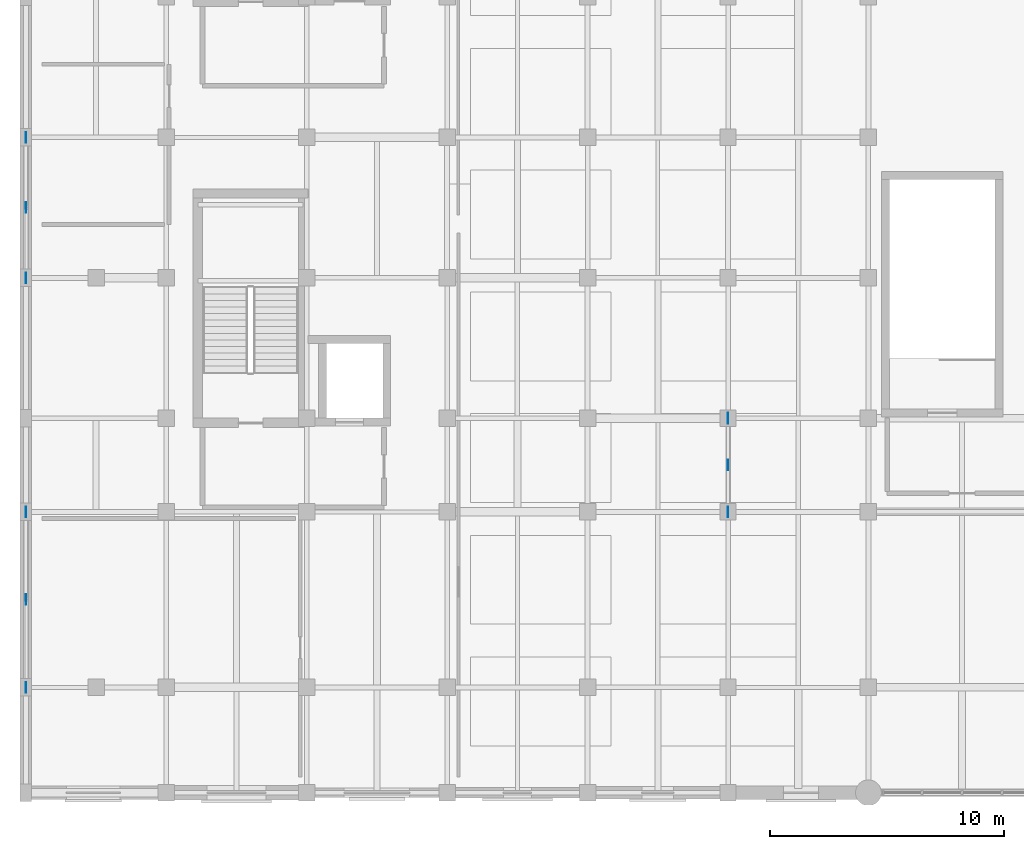
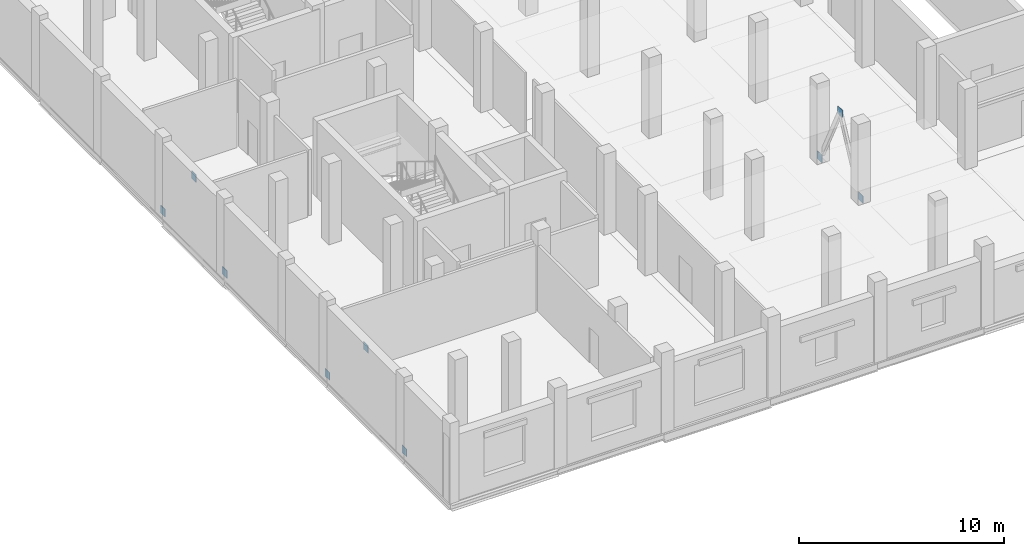
# One storey, part 91 of 114: 9 plates.
"""IFC4 building model written with IfcOpenShell, lengths in metres."""

import ifcopenshell
import ifcopenshell.guid

model = None  # the IFC model being written
_history = None  # IfcOwnerHistory: only IFC2X3 demands one
_inside = {}  # id of a spatial element -> (the spatial element, [elements in it])
_under = {}  # id of a project, library or spatial element -> (it, [spatial elements below it])
_declared = {}  # id of a project -> (the project, [libraries it declares])
_typed = {}  # id of a type object -> (the type object, [elements of that type])
_made_of = {}  # id of a material, layer set ... -> (it, [elements and type objects made of it])


def new_model(schema):
    """Start an empty IFC model of exactly this schema.

    Asked for "IFC4X3", IfcOpenShell would pick the latest addendum, in which some entities
    have other attributes; the version numbers below select the first issue.
    IFC2X3 requires an IfcOwnerHistory on every rooted entity: one is made here for all.
    """
    global model, _history
    if schema == "IFC4X3":
        model = ifcopenshell.file(schema_version=(4, 3, 0, 0))
    else:
        model = ifcopenshell.file(schema=schema)
    _inside.clear()
    _under.clear()
    _declared.clear()
    _typed.clear()
    _made_of.clear()
    _history = None
    if model.schema == "IFC2X3":
        org = make("IfcOrganization", Name="unknown")
        user = make(
            "IfcPersonAndOrganization",
            ThePerson=make("IfcPerson", FamilyName="unknown"),
            TheOrganization=org,
        )
        app = make(
            "IfcApplication",
            ApplicationDeveloper=org,
            Version="unknown",
            ApplicationFullName="unknown",
            ApplicationIdentifier="unknown",
        )
        _history = make(
            "IfcOwnerHistory",
            OwningUser=user,
            OwningApplication=app,
            ChangeAction="ADDED",
            CreationDate=0,
        )
    return model


def make(cls, **values):
    """One entity of the class cls with the attributes given. An attribute that is None is left unset."""
    return model.create_entity(
        cls, **{name: value for name, value in values.items() if value is not None}
    )


def rooted(cls, **values):
    """An entity with a GlobalId (a new one), such as an element, a storey or a relation."""
    return make(cls, GlobalId=ifcopenshell.guid.new(), OwnerHistory=_history, **values)


def si_unit(unit_type, name, prefix=None):
    """IfcSIUnit, for example si_unit("LENGTHUNIT", "METRE", prefix="MILLI")."""
    return make("IfcSIUnit", UnitType=unit_type, Prefix=prefix, Name=name)


def assignment(units):
    """IfcUnitAssignment: the units of a project."""
    return None if units is None else make("IfcUnitAssignment", Units=units)


def point(xyz):
    """IfcCartesianPoint."""
    return None if xyz is None else make("IfcCartesianPoint", Coordinates=xyz)


def direction(xyz):
    """IfcDirection."""
    return None if xyz is None else make("IfcDirection", DirectionRatios=xyz)


def frame(location, z_axis=None, x_axis=None):
    """IfcAxis2Placement3D, a coordinate frame: its origin and axes. An axis left out is left unset."""
    return make(
        "IfcAxis2Placement3D",
        Location=point(location),
        Axis=direction(z_axis),
        RefDirection=direction(x_axis),
    )


def frame_2d(location, x_axis=None):
    """IfcAxis2Placement2D, a coordinate frame in the plane: its origin and x axis."""
    return make(
        "IfcAxis2Placement2D", Location=point(location), RefDirection=direction(x_axis)
    )


def origin():
    """The frame at (0, 0, 0) with its axes left unset."""
    return frame((0.0, 0.0, 0.0))


def origin_2d():
    """The frame at (0, 0) in the plane with its x axis left unset."""
    return frame_2d((0.0, 0.0))


def place(relative_to, where):
    """IfcLocalPlacement: puts the frame where relative to a parent placement (None: the world)."""
    return make(
        "IfcLocalPlacement", PlacementRelTo=relative_to, RelativePlacement=where
    )


def context(
    kind, dimensions, precision=None, world=None, true_north=None, identifier=None
):
    """IfcGeometricRepresentationContext, for example the 3D "Model" context."""
    return make(
        "IfcGeometricRepresentationContext",
        ContextIdentifier=identifier,
        ContextType=kind,
        CoordinateSpaceDimension=dimensions,
        Precision=precision,
        WorldCoordinateSystem=world,
        TrueNorth=true_north,
    )


def subcontext(parent, identifier, kind, view, scale=None):
    """IfcGeometricRepresentationSubContext, for example "Body" below "Model"."""
    return make(
        "IfcGeometricRepresentationSubContext",
        ContextIdentifier=identifier,
        ContextType=kind,
        ParentContext=parent,
        TargetScale=scale,
        TargetView=view,
    )


def project(units=None, contexts=None):
    """IfcProject with its units and contexts."""
    return rooted(
        "IfcProject",
        Name="project",
        RepresentationContexts=contexts,
        UnitsInContext=assignment(units),
    )


def spatial(cls, under=None, at=None, **own):
    """A site, building, storey or space (cls), placed at a placement, below another one or the project."""
    s = rooted(cls, ObjectPlacement=at, **own)
    if under is not None:
        _under.setdefault(under.id(), (under, []))[1].append(s)
    return s


def profile(cls, at=None, kind="AREA", **sizes):
    """A parametric profile (cls). Its sizes go by their IFC names, for example OverallWidth=200.0."""
    return make(cls, ProfileType=kind, Position=at, **sizes)


def rectangle(**sizes):
    """IfcRectangleProfileDef."""
    return profile("IfcRectangleProfileDef", **sizes)


def extrude(swept, where, along, depth):
    """IfcExtrudedAreaSolid: the profile swept, set in the frame where, extruded along a direction by depth."""
    return make(
        "IfcExtrudedAreaSolid",
        SweptArea=swept,
        Position=where,
        ExtrudedDirection=direction(along),
        Depth=depth,
    )


def shape(context_of_items, identifier, shape_type, items):
    """IfcShapeRepresentation: the items that make up one representation, for example the "Body"."""
    return make(
        "IfcShapeRepresentation",
        ContextOfItems=context_of_items,
        RepresentationIdentifier=identifier,
        RepresentationType=shape_type,
        Items=items,
    )


def material(Name=None, Category=None):
    """IfcMaterial."""
    return make("IfcMaterial", Name=Name, Category=Category)


def layer(
    of_material, thickness, ventilated=None, Name=None, Category=None, Priority=None
):
    """IfcMaterialLayer: one layer of a wall or slab, of a material (None: an air gap)."""
    return make(
        "IfcMaterialLayer",
        Material=of_material,
        LayerThickness=thickness,
        IsVentilated=ventilated,
        Name=Name,
        Category=Category,
        Priority=Priority,
    )


def layer_set(layers, Name=None):
    """IfcMaterialLayerSet."""
    return make("IfcMaterialLayerSet", MaterialLayers=layers, LayerSetName=Name)


def made_of(thing, what):
    """Note that an element or type object is made of a material, layer set ...; save() writes the relation."""
    if what is not None:
        _made_of.setdefault(what.id(), (what, []))[1].append(thing)
    return thing


def type_object(cls, material=None, **own):
    """A type object (cls), such as IfcWallType, which elements share."""
    return made_of(rooted(cls, **own), material)


def element(
    cls,
    number,
    at=None,
    inside=None,
    cuts=None,
    type_object=None,
    material=None,
    context=None,
    identifier="Body",
    shape_type=None,
    held_by="IfcProductDefinitionShape",
    body=None,
    shapes=None,
    **own,
):
    """One element of the class cls, such as IfcWall. Its Tag is "e" and its number.

    at: its placement. inside: the storey or other place that contains it. cuts: it is an
    opening in that element (IfcRelVoidsElement). A single representation is given by context,
    identifier, shape_type and body (its items); several are given by shapes. held_by: the class
    of the entity that holds the representations. save() writes the other relations.
    """
    e = rooted(cls, Tag="e%d" % number, ObjectPlacement=at, **own)
    if body is not None:
        shapes = [shape(context, identifier, shape_type, body)]
    if shapes is not None:
        e.Representation = make(held_by, Representations=shapes)
    if inside is not None:
        _inside.setdefault(inside.id(), (inside, []))[1].append(e)
    if cuts is not None:
        rooted(
            "IfcRelVoidsElement", RelatingBuildingElement=cuts, RelatedOpeningElement=e
        )
    if type_object is not None:
        _typed.setdefault(type_object.id(), (type_object, []))[1].append(e)
    return made_of(e, material)


def aggregate(whole, parts):
    """IfcRelAggregates: a whole, such as a stair, and the parts it consists of."""
    return rooted("IfcRelAggregates", RelatingObject=whole, RelatedObjects=parts)


def save(model, path):
    """Write the relations noted so far, then the file.

    IfcRelAggregates (storeys below a building ...), IfcRelContainedInSpatialStructure (elements
    in a storey), IfcRelDefinesByType, IfcRelAssociatesMaterial and IfcRelDeclares: one each for
    every whole, place, type object, material and project.
    """
    for whole, parts in _under.values():
        aggregate(whole, parts)
    for where, things in _inside.values():
        rooted(
            "IfcRelContainedInSpatialStructure",
            RelatedElements=things,
            RelatingStructure=where,
        )
    for kind, things in _typed.values():
        rooted("IfcRelDefinesByType", RelatedObjects=things, RelatingType=kind)
    for what, things in _made_of.values():
        rooted("IfcRelAssociatesMaterial", RelatedObjects=things, RelatingMaterial=what)
    for by, libraries in _declared.values():
        rooted("IfcRelDeclares", RelatingContext=by, RelatedDefinitions=libraries)
    model.write(path)


model = new_model("IFC4")

# Units and contexts
model_context = context("Model", 3, precision=1e-05, world=origin(), true_north=direction((0.0, 1.0)))
body_context = subcontext(model_context, "Body", "Model", "MODEL_VIEW")
ifc_project = project(units=[si_unit("LENGTHUNIT", "METRE"), si_unit("AREAUNIT", "SQUARE_METRE"), si_unit("VOLUMEUNIT", "CUBIC_METRE"), si_unit("PLANEANGLEUNIT", "RADIAN"), si_unit("MASSUNIT", "GRAM", prefix="KILO")], contexts=[model_context])

# Site, building, storey
site_placement = place(None, origin())
site = spatial("IfcSite", under=ifc_project, at=site_placement, CompositionType="ELEMENT")
building_placement = place(site_placement, origin())
building = spatial("IfcBuilding", under=site, at=building_placement, Name="Verrall Gate Interchange", CompositionType="ELEMENT")
storey_placement = place(building_placement, frame((0.0, 0.0, 6.60009765625)))
storey = spatial("IfcBuildingStorey", under=building, at=storey_placement, Name="L02", CompositionType="ELEMENT", Elevation=6.60009765625)

# Plates
ifc_material = material(Name="Structural Steel CSA G40.21 350WT Cat 4", Category="steel")
ifc_layer = layer(ifc_material, 0.030029296875)
ifc_layer_set = layer_set([ifc_layer], Name="Structural Steel CSA G40.21 350WT Cat 4")
plate_type = type_object("IfcPlateType", Name="GP-02 Gusset Plate 30", PredefinedType="SHEET", material=ifc_layer_set)
for number, where, z_axis, x_axis, name in (
    (1, (0.0, 4.5, -0.0849609375), (0.0, 0.0, 1.0), (1.0, 0.0, 0.0), "Chevron Brace Gusset Node CBF1-L02-BA"),
    (2, (0.0, 12.0, -0.0849609375), (0.0, 0.0, 1.0), (1.0, 0.0, 0.0), "Chevron Brace Gusset Node CBF1-L02-BB"),
    (3, (0.0, 8.25, 3.794921875), (0.0, 0.0, 1.0), (1.0, 0.0, 0.0), "Chevron Brace Gusset Node CBF1-L02-AP"),
    (4, (0.0, 22.0, -0.0849609375), (0.0, 0.0, 1.0), (1.0, 0.0, 0.0), "Chevron Brace Gusset Node CBF2-L02-BA"),
    (5, (0.0, 28.0, -0.0849609375), (0.0, 0.0, 1.0), (1.0, 0.0, 0.0), "Chevron Brace Gusset Node CBF2-L02-BB"),
    (6, (0.0, 25.0, 3.794921875), (0.0, 0.0, 1.0), (1.0, 0.0, 0.0), "Chevron Brace Gusset Node CBF2-L02-AP"),
    (7, (30.0, 12.0, -0.0849609375), (0.0, 0.0, 1.0), (1.0, 0.0, 0.0), "Chevron Brace Gusset Node CBF5-L02-BA"),
    (8, (30.0, 16.0, -0.0849609375), (0.0, 0.0, 1.0), (1.0, 0.0, 0.0), "Chevron Brace Gusset Node CBF5-L02-BB"),
    (9, (30.0, 14.0, 3.794921875), (0.0, 0.0, 1.0), (1.0, 0.0, 0.0), "Chevron Brace Gusset Node CBF5-L02-AP"),
):
    element("IfcPlate", number, at=place(storey_placement, frame(where, z_axis=z_axis, x_axis=x_axis)), inside=storey, type_object=plate_type, Name=name, PredefinedType="SHEET", context=body_context, shape_type="SweptSolid", body=[
        extrude(rectangle(XDim=0.030029296875, YDim=0.449951171875, at=origin_2d()), origin(), (0.0, 0.0, 1.0), 0.449951171875),
    ])

save(model, "model.ifc")
